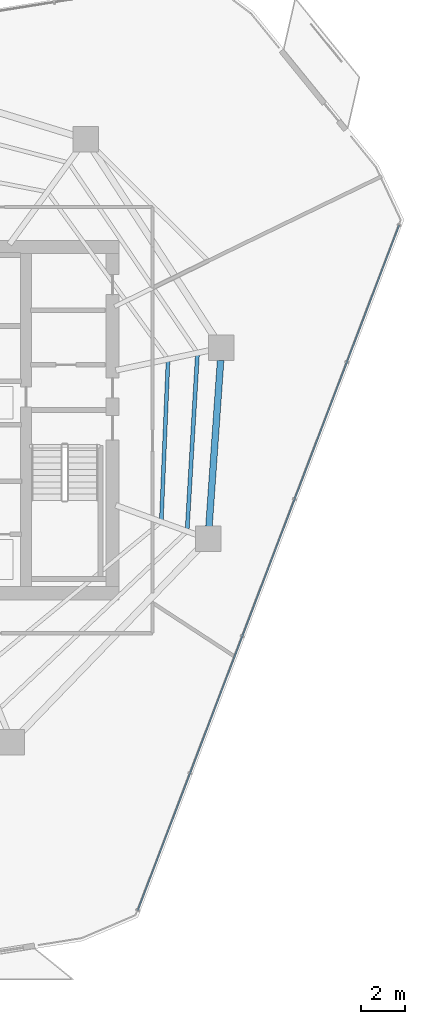
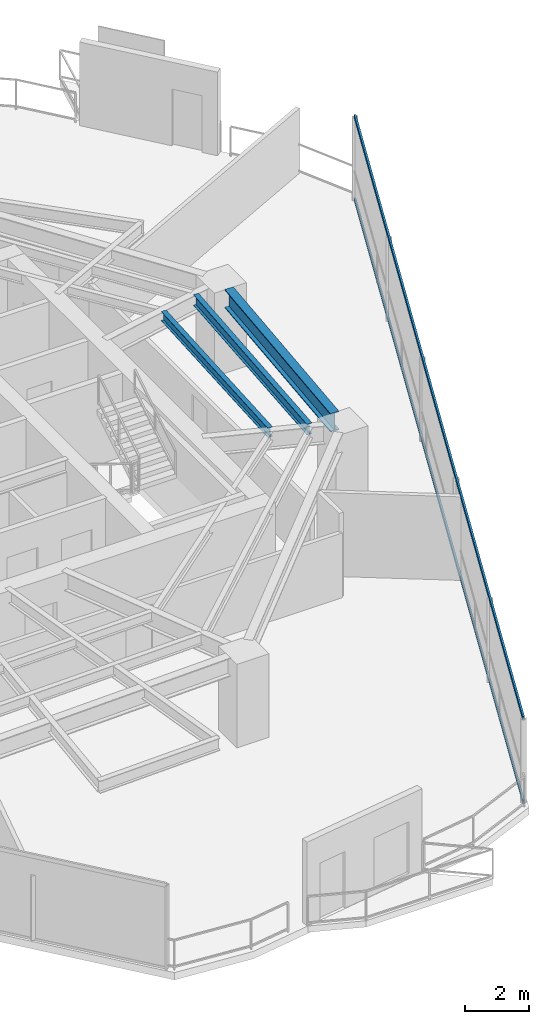
# One storey, part 13 of 27: 3 beams, 2 members, 1 element without a shape of its own.
"""IFC4 building model written with IfcOpenShell, lengths in metres."""

from ifc_helpers import new_model, si_unit, direction, frame, origin, origin_2d, place, context, subcontext, project, spatial, hollow_rectangle, i_section, extrude, material, layer, layer_set, material_profile, profile_set, type_object, element, aggregate, save


model = new_model("IFC4")

# Units and contexts
model_context = context("Model", 3, precision=1e-05, world=origin(), true_north=direction((0.0, 1.0)))
body_context = subcontext(model_context, "Body", "Model", "MODEL_VIEW")
ifc_project = project(units=[si_unit("LENGTHUNIT", "METRE"), si_unit("AREAUNIT", "SQUARE_METRE"), si_unit("VOLUMEUNIT", "CUBIC_METRE"), si_unit("PLANEANGLEUNIT", "RADIAN"), si_unit("MASSUNIT", "GRAM", prefix="KILO")], contexts=[model_context])

# Site, building, storey
site_placement = place(None, origin())
site = spatial("IfcSite", under=ifc_project, at=site_placement, CompositionType="ELEMENT")
building_placement = place(site_placement, origin())
building = spatial("IfcBuilding", under=site, at=building_placement, Name="Qarnah Convention Tower", CompositionType="ELEMENT")
storey_placement = place(building_placement, frame((0.0, 0.0, 100.5)))
storey = spatial("IfcBuildingStorey", under=building, at=storey_placement, Name="L26", CompositionType="ELEMENT", Elevation=100.5)

# Beams
ifc_material_1 = material(Name="Structural steel S355JR", Category="steel")
ifc_material_profile_1 = material_profile(ifc_material_1, i_section(OverallWidth=0.172119140625, OverallDepth=0.35595703125, WebThickness=0.007080078125, FlangeThickness=0.011962890625, at=origin_2d()), Name="W360X51")
ifc_profile_set_1 = profile_set([ifc_material_profile_1], Name="Structural steel S355JR")
beam_type_1 = type_object("IfcBeamType", Name="BM-JST-W360", PredefinedType="JOIST", material=ifc_profile_set_1)
beam_1_placement = place(storey_placement, frame((49.800048828125, 21.905029296875, 2.991943359375), z_axis=(0.04180371464, 0.999125842646, 0.0), x_axis=(-0.999125842646, 0.04180371464, 0.0)))
element("IfcBeam", 1, at=beam_1_placement, inside=storey, type_object=beam_type_1, Name="L26 joist BM-L26-IJST-09", PredefinedType="JOIST", context=body_context, shape_type="SweptSolid", body=[
    extrude(i_section(OverallWidth=0.172119140625, OverallDepth=0.35595703125, WebThickness=0.007080078125, FlangeThickness=0.011962890625, at=origin_2d()), origin(), (0.0, 0.0, 1.0), 7.154296875),
])
ifc_material_profile_2 = material_profile(ifc_material_1, i_section(OverallWidth=0.177978515625, OverallDepth=0.407958984375, WebThickness=0.008056640625, FlangeThickness=0.012939453125, at=origin_2d()), Name="W410X60")
ifc_profile_set_2 = profile_set([ifc_material_profile_2], Name="Structural steel S355JR")
beam_type_2 = type_object("IfcBeamType", Name="BM-JST-W410", PredefinedType="JOIST", material=ifc_profile_set_2)
beam_2_placement = place(storey_placement, frame((50.964111328125, 21.48193359375, 2.966064453125), z_axis=(0.058347234221, 0.998296348916, 0.0), x_axis=(-0.998296348916, 0.058347234221, 0.0)))
element("IfcBeam", 2, at=beam_2_placement, inside=storey, type_object=beam_type_2, Name="L26 joist BM-L26-SJST-09", PredefinedType="JOIST", context=body_context, shape_type="SweptSolid", body=[
    extrude(i_section(OverallWidth=0.177978515625, OverallDepth=0.407958984375, WebThickness=0.008056640625, FlangeThickness=0.012939453125, at=origin_2d()), origin(), (0.0, 0.0, 1.0), 7.866455078125),
])
ifc_material_profile_3 = material_profile(ifc_material_1, i_section(OverallWidth=0.300048828125, OverallDepth=0.699951171875, WebThickness=0.01708984375, FlangeThickness=0.031982421875, at=origin_2d()), Name="HEB700")
ifc_profile_set_3 = profile_set([ifc_material_profile_3], Name="Structural steel S355JR")
beam_type_3 = type_object("IfcBeamType", Name="BM-RING-HEB700", PredefinedType="BEAM", material=ifc_profile_set_3)
beam_3_placement = place(storey_placement, frame((51.945068359375, 21.611083984375, 2.820068359375), z_axis=(0.069881623509, 0.997555291047, 0.0), x_axis=(-0.997555291047, 0.069881623509, 0.0)))
element("IfcBeam", 3, at=beam_3_placement, inside=storey, type_object=beam_type_3, Name="L26 beam BM-L26-SPN-09", PredefinedType="BEAM", context=body_context, shape_type="SweptSolid", body=[
    extrude(i_section(OverallWidth=0.300048828125, OverallDepth=0.699951171875, WebThickness=0.01708984375, FlangeThickness=0.031982421875, at=origin_2d()), origin(), (0.0, 0.0, 1.0), 7.497314453125),
])

# Curtain wall, members
ifc_material_2 = material(Name="Tempered Low-E dark glass", Category="glass")
ifc_layer = layer(ifc_material_2, 0.169921875)
ifc_layer_set = layer_set([ifc_layer], Name="Tempered Low-E dark glass")
curtain_wall_type = type_object("IfcCurtainWallType", Name="CWS-02", PredefinedType="NOTDEFINED", material=ifc_layer_set)
curtain_wall_placement = place(storey_placement, origin())
curtain_wall = element("IfcCurtainWall", 4, at=curtain_wall_placement, inside=storey, type_object=curtain_wall_type, Name="L26 unitised curtain wall CW-L26-F1", PredefinedType="NOTDEFINED")
ifc_material_3 = material(Name="Black anodised aluminium", Category="aluminium")
ifc_material_profile_4 = material_profile(ifc_material_3, hollow_rectangle(XDim=0.06494140625, YDim=0.14990234375, WallThickness=0.00390625, at=origin_2d()), Name="TRN-65X150")
ifc_profile_set_4 = profile_set([ifc_material_profile_4], Name="Black anodised aluminium")
member_type = type_object("IfcMemberType", Name="TRN-T2", PredefinedType="USERDEFINED", material=ifc_profile_set_4)
member_1_placement = place(storey_placement, frame((60.511962890625, 35.18505859375, 0.0), z_axis=(-0.356397841953, -0.93433429684, 0.0), x_axis=(0.93433429684, -0.356397841953, 0.0)))
member_1 = element("IfcMember", 5, at=member_1_placement, type_object=member_type, Name="CW-L26-F1 transom 1", ObjectType="TRANSOM", PredefinedType="USERDEFINED", context=body_context, shape_type="SweptSolid", body=[
    extrude(hollow_rectangle(XDim=0.06494140625, YDim=0.14990234375, WallThickness=0.00390625, at=origin_2d()), origin(), (0.0, 0.0, 1.0), 33.03857421875),
])
member_2_placement = place(storey_placement, frame((60.511962890625, 35.18505859375, 3.169921875), z_axis=(-0.356397841953, -0.93433429684, 0.0), x_axis=(0.93433429684, -0.356397841953, 0.0)))
member_2 = element("IfcMember", 6, at=member_2_placement, type_object=member_type, Name="CW-L26-F1 transom 2", ObjectType="TRANSOM", PredefinedType="USERDEFINED", context=body_context, shape_type="SweptSolid", body=[
    extrude(hollow_rectangle(XDim=0.06494140625, YDim=0.14990234375, WallThickness=0.00390625, at=origin_2d()), origin(), (0.0, 0.0, 1.0), 33.03857421875),
])
aggregate(curtain_wall, [member_1, member_2])

save(model, "model.ifc")
